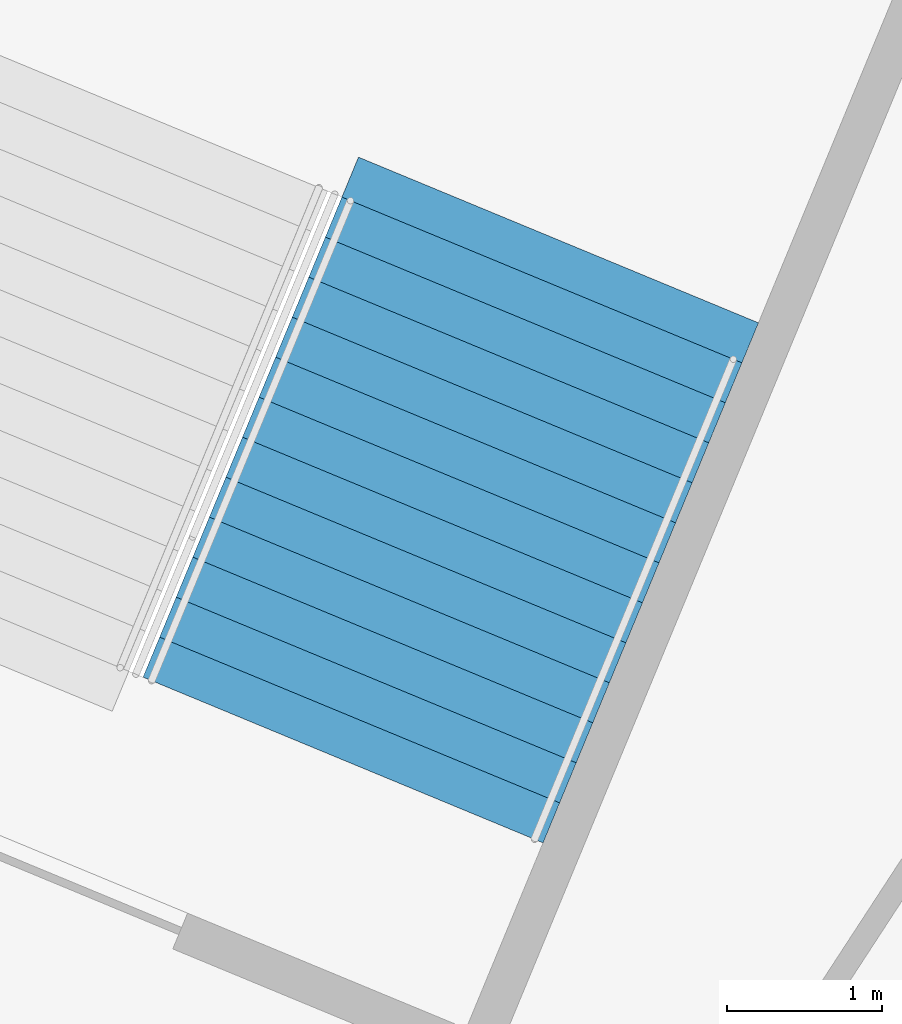
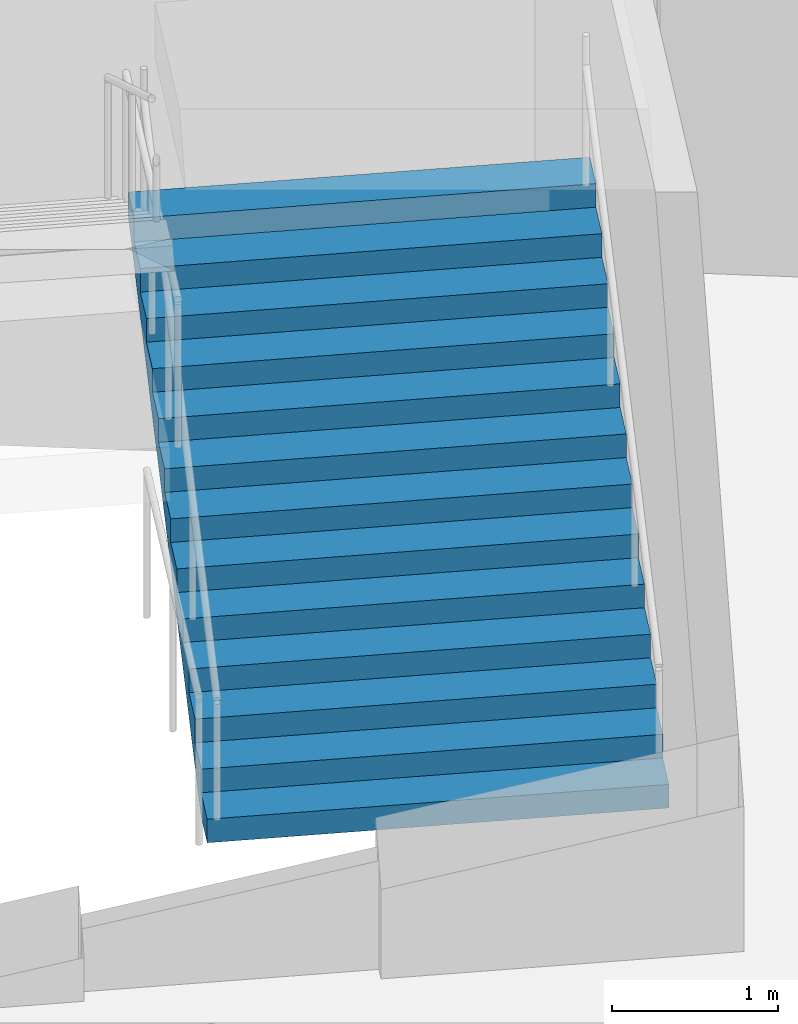
# One storey, part 185 of 199: 1 stair flight, 1 element without a shape of its own.
"""IFC4 building model written with IfcOpenShell, lengths in metres."""

from ifc_helpers import new_model, si_unit, direction, frame, origin, place, context, subcontext, project, spatial, faceted_brep, material, type_object, element, aggregate, save


model = new_model("IFC4")

# Units and contexts
model_context = context("Model", 3, precision=1e-05, world=origin(), true_north=direction((0.0, 1.0)))
body_context = subcontext(model_context, "Body", "Model", "MODEL_VIEW")
ifc_project = project(units=[si_unit("LENGTHUNIT", "METRE"), si_unit("AREAUNIT", "SQUARE_METRE"), si_unit("VOLUMEUNIT", "CUBIC_METRE"), si_unit("PLANEANGLEUNIT", "RADIAN"), si_unit("MASSUNIT", "GRAM", prefix="KILO")], contexts=[model_context])

# Site, building, storey
site_placement = place(None, origin())
site = spatial("IfcSite", under=ifc_project, at=site_placement, CompositionType="ELEMENT")
building_placement = place(site_placement, origin())
building = spatial("IfcBuilding", under=site, at=building_placement, Name="Ogive Plaza Stadium", CompositionType="ELEMENT")
storey_placement = place(building_placement, frame((0.0, 0.0, 4.5)))
storey = spatial("IfcBuildingStorey", under=building, at=storey_placement, Name="L01", CompositionType="ELEMENT", Elevation=4.5)

# Stair, stair flight
ifc_material_1 = material(Name="Concrete C40/50", Category="concrete")
stair_type = type_object("IfcStairType", Name="Exit stair", PredefinedType="STRAIGHT_RUN_STAIR", material=ifc_material_1)
stair_placement = place(storey_placement, origin())
stair = element("IfcStair", 1, at=stair_placement, inside=storey, type_object=stair_type, Name="Exit stair ST38A L01 to L02", PredefinedType="STRAIGHT_RUN_STAIR")
ifc_material_2 = material(Name="Concrete C40/50", Category="concrete")
stair_flight_type = type_object("IfcStairFlightType", Name="Exit stair flight", PredefinedType="STRAIGHT", material=ifc_material_2)
stair_flight_placement = place(storey_placement, frame((54.294921875, 89.932861328125, 0.0), z_axis=(0.0, 0.0, 1.0), x_axis=(0.382683432365, 0.923879532511, 0.0)))
stair_flight = element("IfcStairFlight", 2, at=stair_flight_placement, type_object=stair_flight_type, Name="ST38A flight 1", NumberOfRisers=13, NumberOfTreads=12, PredefinedType="STRAIGHT", RiserHeight=0.173076923, TreadLength=0.28, context=body_context, shape_type="Brep", body=[
    faceted_brep([(0.28515625, -1.39990234375, 0.0), (3.639892578125, -1.39990234375, 2.07373046875), (3.639892578125, -1.39990234375, 2.25), (3.360107421875, -1.39990234375, 2.25), (3.360107421875, -1.39990234375, 2.076904296875), (3.080078125, -1.39990234375, 2.076904296875), (3.080078125, -1.39990234375, 1.90380859375), (2.800048828125, -1.39990234375, 1.90380859375), (2.800048828125, -1.39990234375, 1.730712890625), (2.52001953125, -1.39990234375, 1.730712890625), (2.52001953125, -1.39990234375, 1.5576171875), (2.239990234375, -1.39990234375, 1.5576171875), (2.239990234375, -1.39990234375, 1.384521484375), (1.9599609375, -1.39990234375, 1.384521484375), (1.9599609375, -1.39990234375, 1.21142578125), (1.679931640625, -1.39990234375, 1.21142578125), (1.679931640625, -1.39990234375, 1.03857421875), (1.39990234375, -1.39990234375, 1.03857421875), (1.39990234375, -1.39990234375, 0.865478515625), (1.1201171875, -1.39990234375, 0.865478515625), (1.1201171875, -1.39990234375, 0.6923828125), (0.840087890625, -1.39990234375, 0.6923828125), (0.840087890625, -1.39990234375, 0.519287109375), (0.56005859375, -1.39990234375, 0.519287109375), (0.56005859375, -1.39990234375, 0.34619140625), (0.280029296875, -1.39990234375, 0.34619140625), (0.280029296875, -1.39990234375, 0.173095703125), (0.0, -1.39990234375, 0.173095703125), (0.0, -1.39990234375, 0.0), (0.0, 1.39990234375, 0.0), (0.0, 1.39990234375, 0.173095703125), (0.280029296875, 1.39990234375, 0.173095703125), (0.280029296875, 1.39990234375, 0.34619140625), (0.56005859375, 1.39990234375, 0.34619140625), (0.56005859375, 1.39990234375, 0.519287109375), (0.840087890625, 1.39990234375, 0.519287109375), (0.840087890625, 1.39990234375, 0.6923828125), (1.1201171875, 1.39990234375, 0.6923828125), (1.1201171875, 1.39990234375, 0.865478515625), (1.39990234375, 1.39990234375, 0.865478515625), (1.39990234375, 1.39990234375, 1.03857421875), (1.679931640625, 1.39990234375, 1.03857421875), (1.679931640625, 1.39990234375, 1.21142578125), (1.9599609375, 1.39990234375, 1.21142578125), (1.9599609375, 1.39990234375, 1.384521484375), (2.239990234375, 1.39990234375, 1.384521484375), (2.239990234375, 1.39990234375, 1.5576171875), (2.52001953125, 1.39990234375, 1.5576171875), (2.52001953125, 1.39990234375, 1.730712890625), (2.800048828125, 1.39990234375, 1.730712890625), (2.800048828125, 1.39990234375, 1.90380859375), (3.080078125, 1.39990234375, 1.90380859375), (3.080078125, 1.39990234375, 2.076904296875), (3.360107421875, 1.39990234375, 2.076904296875), (3.360107421875, 1.39990234375, 2.25), (3.639892578125, 1.39990234375, 2.25), (3.639892578125, 1.39990234375, 2.07373046875), (0.28515625, 1.39990234375, 0.0), (0.28515625, -1.0888671875, 0.0), (3.639892578125, -1.0888671875, 2.07373046875), (0.28515625, -0.77783203125, 0.0), (3.639892578125, -0.77783203125, 2.07373046875), (0.28515625, -0.466796875, 0.0), (3.639892578125, -0.466796875, 2.07373046875), (0.28515625, -0.155517578125, 0.0), (3.639892578125, -0.155517578125, 2.07373046875), (0.28515625, 0.155517578125, 0.0), (3.639892578125, 0.155517578125, 2.07373046875), (0.28515625, 0.466796875, 0.0), (3.639892578125, 0.466796875, 2.07373046875), (0.28515625, 0.77783203125, 0.0), (3.639892578125, 0.77783203125, 2.07373046875), (0.28515625, 1.0888671875, 0.0), (3.639892578125, 1.0888671875, 2.07373046875), (3.639892578125, -1.0888671875, 2.25), (3.639892578125, -0.77783203125, 2.25), (3.639892578125, -0.466796875, 2.25), (3.639892578125, -0.155517578125, 2.25), (3.639892578125, 0.155517578125, 2.25), (3.639892578125, 0.466796875, 2.25), (3.639892578125, 0.77783203125, 2.25), (3.639892578125, 1.0888671875, 2.25), (3.360107421875, -1.0888671875, 2.25), (3.360107421875, -0.77783203125, 2.25), (3.360107421875, -0.466796875, 2.25), (3.360107421875, -0.155517578125, 2.25), (3.360107421875, 0.155517578125, 2.25), (3.360107421875, 0.466796875, 2.25), (3.360107421875, 0.77783203125, 2.25), (3.360107421875, 1.0888671875, 2.25), (3.360107421875, -1.0888671875, 2.076904296875), (3.360107421875, -0.77783203125, 2.076904296875), (3.360107421875, -0.466796875, 2.076904296875), (3.360107421875, -0.155517578125, 2.076904296875), (3.360107421875, 0.155517578125, 2.076904296875), (3.360107421875, 0.466796875, 2.076904296875), (3.360107421875, 0.77783203125, 2.076904296875), (3.360107421875, 1.0888671875, 2.076904296875), (3.080078125, -1.0888671875, 2.076904296875), (3.080078125, -0.77783203125, 2.076904296875), (3.080078125, -0.466796875, 2.076904296875), (3.080078125, -0.155517578125, 2.076904296875), (3.080078125, 0.155517578125, 2.076904296875), (3.080078125, 0.466796875, 2.076904296875), (3.080078125, 0.77783203125, 2.076904296875), (3.080078125, 1.0888671875, 2.076904296875), (3.080078125, -1.0888671875, 1.90380859375), (3.080078125, -0.77783203125, 1.90380859375), (3.080078125, -0.466796875, 1.90380859375), (3.080078125, -0.155517578125, 1.90380859375), (3.080078125, 0.155517578125, 1.90380859375), (3.080078125, 0.466796875, 1.90380859375), (3.080078125, 0.77783203125, 1.90380859375), (3.080078125, 1.0888671875, 1.90380859375), (2.800048828125, -1.0888671875, 1.90380859375), (2.800048828125, -0.77783203125, 1.90380859375), (2.800048828125, -0.466796875, 1.90380859375), (2.800048828125, -0.155517578125, 1.90380859375), (2.800048828125, 0.155517578125, 1.90380859375), (2.800048828125, 0.466796875, 1.90380859375), (2.800048828125, 0.77783203125, 1.90380859375), (2.800048828125, 1.0888671875, 1.90380859375), (2.800048828125, -1.0888671875, 1.730712890625), (2.800048828125, -0.77783203125, 1.730712890625), (2.800048828125, -0.466796875, 1.730712890625), (2.800048828125, -0.155517578125, 1.730712890625), (2.800048828125, 0.155517578125, 1.730712890625), (2.800048828125, 0.466796875, 1.730712890625), (2.800048828125, 0.77783203125, 1.730712890625), (2.800048828125, 1.0888671875, 1.730712890625), (2.52001953125, -1.0888671875, 1.730712890625), (2.52001953125, -0.77783203125, 1.730712890625), (2.52001953125, -0.466796875, 1.730712890625), (2.52001953125, -0.155517578125, 1.730712890625), (2.52001953125, 0.155517578125, 1.730712890625), (2.52001953125, 0.466796875, 1.730712890625), (2.52001953125, 0.77783203125, 1.730712890625), (2.52001953125, 1.0888671875, 1.730712890625), (2.52001953125, -1.0888671875, 1.5576171875), (2.52001953125, -0.77783203125, 1.5576171875), (2.52001953125, -0.466796875, 1.5576171875), (2.52001953125, -0.155517578125, 1.5576171875), (2.52001953125, 0.155517578125, 1.5576171875), (2.52001953125, 0.466796875, 1.5576171875), (2.52001953125, 0.77783203125, 1.5576171875), (2.52001953125, 1.0888671875, 1.5576171875), (2.239990234375, -1.0888671875, 1.5576171875), (2.239990234375, -0.77783203125, 1.5576171875), (2.239990234375, -0.466796875, 1.5576171875), (2.239990234375, -0.155517578125, 1.5576171875), (2.239990234375, 0.155517578125, 1.5576171875), (2.239990234375, 0.466796875, 1.5576171875), (2.239990234375, 0.77783203125, 1.5576171875), (2.239990234375, 1.0888671875, 1.5576171875), (2.239990234375, -1.0888671875, 1.384521484375), (2.239990234375, -0.77783203125, 1.384521484375), (2.239990234375, -0.466796875, 1.384521484375), (2.239990234375, -0.155517578125, 1.384521484375), (2.239990234375, 0.155517578125, 1.384521484375), (2.239990234375, 0.466796875, 1.384521484375), (2.239990234375, 0.77783203125, 1.384521484375), (2.239990234375, 1.0888671875, 1.384521484375), (1.9599609375, -1.0888671875, 1.384521484375), (1.9599609375, -0.77783203125, 1.384521484375), (1.9599609375, -0.466796875, 1.384521484375), (1.9599609375, -0.155517578125, 1.384521484375), (1.9599609375, 0.155517578125, 1.384521484375), (1.9599609375, 0.466796875, 1.384521484375), (1.9599609375, 0.77783203125, 1.384521484375), (1.9599609375, 1.0888671875, 1.384521484375), (1.9599609375, -1.0888671875, 1.21142578125), (1.9599609375, -0.77783203125, 1.21142578125), (1.9599609375, -0.466796875, 1.21142578125), (1.9599609375, -0.155517578125, 1.21142578125), (1.9599609375, 0.155517578125, 1.21142578125), (1.9599609375, 0.466796875, 1.21142578125), (1.9599609375, 0.77783203125, 1.21142578125), (1.9599609375, 1.0888671875, 1.21142578125), (1.679931640625, -1.0888671875, 1.21142578125), (1.679931640625, -0.77783203125, 1.21142578125), (1.679931640625, -0.466796875, 1.21142578125), (1.679931640625, -0.155517578125, 1.21142578125), (1.679931640625, 0.155517578125, 1.21142578125), (1.679931640625, 0.466796875, 1.21142578125), (1.679931640625, 0.77783203125, 1.21142578125), (1.679931640625, 1.0888671875, 1.21142578125), (1.679931640625, -1.0888671875, 1.03857421875), (1.679931640625, -0.77783203125, 1.03857421875), (1.679931640625, -0.466796875, 1.03857421875), (1.679931640625, -0.155517578125, 1.03857421875), (1.679931640625, 0.155517578125, 1.03857421875), (1.679931640625, 0.466796875, 1.03857421875), (1.679931640625, 0.77783203125, 1.03857421875), (1.679931640625, 1.0888671875, 1.03857421875), (1.39990234375, -1.0888671875, 1.03857421875), (1.39990234375, -0.77783203125, 1.03857421875), (1.39990234375, -0.466796875, 1.03857421875), (1.39990234375, -0.155517578125, 1.03857421875), (1.39990234375, 0.155517578125, 1.03857421875), (1.39990234375, 0.466796875, 1.03857421875), (1.39990234375, 0.77783203125, 1.03857421875), (1.39990234375, 1.0888671875, 1.03857421875), (1.39990234375, -1.0888671875, 0.865478515625), (1.39990234375, -0.77783203125, 0.865478515625), (1.39990234375, -0.466796875, 0.865478515625), (1.39990234375, -0.155517578125, 0.865478515625), (1.39990234375, 0.155517578125, 0.865478515625), (1.39990234375, 0.466796875, 0.865478515625), (1.39990234375, 0.77783203125, 0.865478515625), (1.39990234375, 1.0888671875, 0.865478515625), (1.1201171875, -1.0888671875, 0.865478515625), (1.1201171875, -0.77783203125, 0.865478515625), (1.1201171875, -0.466796875, 0.865478515625), (1.1201171875, -0.155517578125, 0.865478515625), (1.1201171875, 0.155517578125, 0.865478515625), (1.1201171875, 0.466796875, 0.865478515625), (1.1201171875, 0.77783203125, 0.865478515625), (1.1201171875, 1.0888671875, 0.865478515625), (1.1201171875, -1.0888671875, 0.6923828125), (1.1201171875, -0.77783203125, 0.6923828125), (1.1201171875, -0.466796875, 0.6923828125), (1.1201171875, -0.155517578125, 0.6923828125), (1.1201171875, 0.155517578125, 0.6923828125), (1.1201171875, 0.466796875, 0.6923828125), (1.1201171875, 0.77783203125, 0.6923828125), (1.1201171875, 1.0888671875, 0.6923828125), (0.840087890625, -1.0888671875, 0.6923828125), (0.840087890625, -0.77783203125, 0.6923828125), (0.840087890625, -0.466796875, 0.6923828125), (0.840087890625, -0.155517578125, 0.6923828125), (0.840087890625, 0.155517578125, 0.6923828125), (0.840087890625, 0.466796875, 0.6923828125), (0.840087890625, 0.77783203125, 0.6923828125), (0.840087890625, 1.0888671875, 0.6923828125), (0.840087890625, -1.0888671875, 0.519287109375), (0.840087890625, -0.77783203125, 0.519287109375), (0.840087890625, -0.466796875, 0.519287109375), (0.840087890625, -0.155517578125, 0.519287109375), (0.840087890625, 0.155517578125, 0.519287109375), (0.840087890625, 0.466796875, 0.519287109375), (0.840087890625, 0.77783203125, 0.519287109375), (0.840087890625, 1.0888671875, 0.519287109375), (0.56005859375, -1.0888671875, 0.519287109375), (0.56005859375, -0.77783203125, 0.519287109375), (0.56005859375, -0.466796875, 0.519287109375), (0.56005859375, -0.155517578125, 0.519287109375), (0.56005859375, 0.155517578125, 0.519287109375), (0.56005859375, 0.466796875, 0.519287109375), (0.56005859375, 0.77783203125, 0.519287109375), (0.56005859375, 1.0888671875, 0.519287109375), (0.56005859375, -1.0888671875, 0.34619140625), (0.56005859375, -0.77783203125, 0.34619140625), (0.56005859375, -0.466796875, 0.34619140625), (0.56005859375, -0.155517578125, 0.34619140625), (0.56005859375, 0.155517578125, 0.34619140625), (0.56005859375, 0.466796875, 0.34619140625), (0.56005859375, 0.77783203125, 0.34619140625), (0.56005859375, 1.0888671875, 0.34619140625), (0.280029296875, -1.0888671875, 0.34619140625), (0.280029296875, -0.77783203125, 0.34619140625), (0.280029296875, -0.466796875, 0.34619140625), (0.280029296875, -0.155517578125, 0.34619140625), (0.280029296875, 0.155517578125, 0.34619140625), (0.280029296875, 0.466796875, 0.34619140625), (0.280029296875, 0.77783203125, 0.34619140625), (0.280029296875, 1.0888671875, 0.34619140625), (0.280029296875, -1.0888671875, 0.173095703125), (0.280029296875, -0.77783203125, 0.173095703125), (0.280029296875, -0.466796875, 0.173095703125), (0.280029296875, -0.155517578125, 0.173095703125), (0.280029296875, 0.155517578125, 0.173095703125), (0.280029296875, 0.466796875, 0.173095703125), (0.280029296875, 0.77783203125, 0.173095703125), (0.280029296875, 1.0888671875, 0.173095703125), (0.0, -1.0888671875, 0.173095703125), (0.0, -0.77783203125, 0.173095703125), (0.0, -0.466796875, 0.173095703125), (0.0, -0.155517578125, 0.173095703125), (0.0, 0.155517578125, 0.173095703125), (0.0, 0.466796875, 0.173095703125), (0.0, 0.77783203125, 0.173095703125), (0.0, 1.0888671875, 0.173095703125), (0.0, -1.0888671875, 0.0), (0.0, -0.77783203125, 0.0), (0.0, -0.466796875, 0.0), (0.0, -0.155517578125, 0.0), (0.0, 0.155517578125, 0.0), (0.0, 0.466796875, 0.0), (0.0, 0.77783203125, 0.0), (0.0, 1.0888671875, 0.0)], [[[0, 1, 2, 3, 4, 5, 6, 7, 8, 9, 10, 11, 12, 13, 14, 15, 16, 17, 18, 19, 20, 21, 22, 23, 24, 25, 26, 27, 28]], [[29, 30, 31, 32, 33, 34, 35, 36, 37, 38, 39, 40, 41, 42, 43, 44, 45, 46, 47, 48, 49, 50, 51, 52, 53, 54, 55, 56, 57]], [[0, 58, 59, 1]], [[58, 60, 61, 59]], [[60, 62, 63, 61]], [[62, 64, 65, 63]], [[64, 66, 67, 65]], [[66, 68, 69, 67]], [[68, 70, 71, 69]], [[70, 72, 73, 71]], [[72, 57, 56, 73]], [[1, 59, 74, 2]], [[59, 61, 75, 74]], [[61, 63, 76, 75]], [[63, 65, 77, 76]], [[65, 67, 78, 77]], [[67, 69, 79, 78]], [[69, 71, 80, 79]], [[71, 73, 81, 80]], [[73, 56, 55, 81]], [[2, 74, 82, 3]], [[74, 75, 83, 82]], [[75, 76, 84, 83]], [[76, 77, 85, 84]], [[77, 78, 86, 85]], [[78, 79, 87, 86]], [[79, 80, 88, 87]], [[80, 81, 89, 88]], [[81, 55, 54, 89]], [[3, 82, 90, 4]], [[82, 83, 91, 90]], [[83, 84, 92, 91]], [[84, 85, 93, 92]], [[85, 86, 94, 93]], [[86, 87, 95, 94]], [[87, 88, 96, 95]], [[88, 89, 97, 96]], [[89, 54, 53, 97]], [[4, 90, 98, 5]], [[90, 91, 99, 98]], [[91, 92, 100, 99]], [[92, 93, 101, 100]], [[93, 94, 102, 101]], [[94, 95, 103, 102]], [[95, 96, 104, 103]], [[96, 97, 105, 104]], [[97, 53, 52, 105]], [[5, 98, 106, 6]], [[98, 99, 107, 106]], [[99, 100, 108, 107]], [[100, 101, 109, 108]], [[101, 102, 110, 109]], [[102, 103, 111, 110]], [[103, 104, 112, 111]], [[104, 105, 113, 112]], [[105, 52, 51, 113]], [[6, 106, 114, 7]], [[106, 107, 115, 114]], [[107, 108, 116, 115]], [[108, 109, 117, 116]], [[109, 110, 118, 117]], [[110, 111, 119, 118]], [[111, 112, 120, 119]], [[112, 113, 121, 120]], [[113, 51, 50, 121]], [[7, 114, 122, 8]], [[114, 115, 123, 122]], [[115, 116, 124, 123]], [[116, 117, 125, 124]], [[117, 118, 126, 125]], [[118, 119, 127, 126]], [[119, 120, 128, 127]], [[120, 121, 129, 128]], [[121, 50, 49, 129]], [[8, 122, 130, 9]], [[122, 123, 131, 130]], [[123, 124, 132, 131]], [[124, 125, 133, 132]], [[125, 126, 134, 133]], [[126, 127, 135, 134]], [[127, 128, 136, 135]], [[128, 129, 137, 136]], [[129, 49, 48, 137]], [[9, 130, 138, 10]], [[130, 131, 139, 138]], [[131, 132, 140, 139]], [[132, 133, 141, 140]], [[133, 134, 142, 141]], [[134, 135, 143, 142]], [[135, 136, 144, 143]], [[136, 137, 145, 144]], [[137, 48, 47, 145]], [[10, 138, 146, 11]], [[138, 139, 147, 146]], [[139, 140, 148, 147]], [[140, 141, 149, 148]], [[141, 142, 150, 149]], [[142, 143, 151, 150]], [[143, 144, 152, 151]], [[144, 145, 153, 152]], [[145, 47, 46, 153]], [[11, 146, 154, 12]], [[146, 147, 155, 154]], [[147, 148, 156, 155]], [[148, 149, 157, 156]], [[149, 150, 158, 157]], [[150, 151, 159, 158]], [[151, 152, 160, 159]], [[152, 153, 161, 160]], [[153, 46, 45, 161]], [[12, 154, 162, 13]], [[154, 155, 163, 162]], [[155, 156, 164, 163]], [[156, 157, 165, 164]], [[157, 158, 166, 165]], [[158, 159, 167, 166]], [[159, 160, 168, 167]], [[160, 161, 169, 168]], [[161, 45, 44, 169]], [[13, 162, 170, 14]], [[162, 163, 171, 170]], [[163, 164, 172, 171]], [[164, 165, 173, 172]], [[165, 166, 174, 173]], [[166, 167, 175, 174]], [[167, 168, 176, 175]], [[168, 169, 177, 176]], [[169, 44, 43, 177]], [[14, 170, 178, 15]], [[170, 171, 179, 178]], [[171, 172, 180, 179]], [[172, 173, 181, 180]], [[173, 174, 182, 181]], [[174, 175, 183, 182]], [[175, 176, 184, 183]], [[176, 177, 185, 184]], [[177, 43, 42, 185]], [[15, 178, 186, 16]], [[178, 179, 187, 186]], [[179, 180, 188, 187]], [[180, 181, 189, 188]], [[181, 182, 190, 189]], [[182, 183, 191, 190]], [[183, 184, 192, 191]], [[184, 185, 193, 192]], [[185, 42, 41, 193]], [[16, 186, 194, 17]], [[186, 187, 195, 194]], [[187, 188, 196, 195]], [[188, 189, 197, 196]], [[189, 190, 198, 197]], [[190, 191, 199, 198]], [[191, 192, 200, 199]], [[192, 193, 201, 200]], [[193, 41, 40, 201]], [[17, 194, 202, 18]], [[194, 195, 203, 202]], [[195, 196, 204, 203]], [[196, 197, 205, 204]], [[197, 198, 206, 205]], [[198, 199, 207, 206]], [[199, 200, 208, 207]], [[200, 201, 209, 208]], [[201, 40, 39, 209]], [[18, 202, 210, 19]], [[202, 203, 211, 210]], [[203, 204, 212, 211]], [[204, 205, 213, 212]], [[205, 206, 214, 213]], [[206, 207, 215, 214]], [[207, 208, 216, 215]], [[208, 209, 217, 216]], [[209, 39, 38, 217]], [[19, 210, 218, 20]], [[210, 211, 219, 218]], [[211, 212, 220, 219]], [[212, 213, 221, 220]], [[213, 214, 222, 221]], [[214, 215, 223, 222]], [[215, 216, 224, 223]], [[216, 217, 225, 224]], [[217, 38, 37, 225]], [[20, 218, 226, 21]], [[218, 219, 227, 226]], [[219, 220, 228, 227]], [[220, 221, 229, 228]], [[221, 222, 230, 229]], [[222, 223, 231, 230]], [[223, 224, 232, 231]], [[224, 225, 233, 232]], [[225, 37, 36, 233]], [[21, 226, 234, 22]], [[226, 227, 235, 234]], [[227, 228, 236, 235]], [[228, 229, 237, 236]], [[229, 230, 238, 237]], [[230, 231, 239, 238]], [[231, 232, 240, 239]], [[232, 233, 241, 240]], [[233, 36, 35, 241]], [[22, 234, 242, 23]], [[234, 235, 243, 242]], [[235, 236, 244, 243]], [[236, 237, 245, 244]], [[237, 238, 246, 245]], [[238, 239, 247, 246]], [[239, 240, 248, 247]], [[240, 241, 249, 248]], [[241, 35, 34, 249]], [[23, 242, 250, 24]], [[242, 243, 251, 250]], [[243, 244, 252, 251]], [[244, 245, 253, 252]], [[245, 246, 254, 253]], [[246, 247, 255, 254]], [[247, 248, 256, 255]], [[248, 249, 257, 256]], [[249, 34, 33, 257]], [[24, 250, 258, 25]], [[250, 251, 259, 258]], [[251, 252, 260, 259]], [[252, 253, 261, 260]], [[253, 254, 262, 261]], [[254, 255, 263, 262]], [[255, 256, 264, 263]], [[256, 257, 265, 264]], [[257, 33, 32, 265]], [[25, 258, 266, 26]], [[258, 259, 267, 266]], [[259, 260, 268, 267]], [[260, 261, 269, 268]], [[261, 262, 270, 269]], [[262, 263, 271, 270]], [[263, 264, 272, 271]], [[264, 265, 273, 272]], [[265, 32, 31, 273]], [[26, 266, 274, 27]], [[266, 267, 275, 274]], [[267, 268, 276, 275]], [[268, 269, 277, 276]], [[269, 270, 278, 277]], [[270, 271, 279, 278]], [[271, 272, 280, 279]], [[272, 273, 281, 280]], [[273, 31, 30, 281]], [[27, 274, 282, 28]], [[274, 275, 283, 282]], [[275, 276, 284, 283]], [[276, 277, 285, 284]], [[277, 278, 286, 285]], [[278, 279, 287, 286]], [[279, 280, 288, 287]], [[280, 281, 289, 288]], [[281, 30, 29, 289]], [[28, 282, 58, 0]], [[282, 283, 60, 58]], [[283, 284, 62, 60]], [[284, 285, 64, 62]], [[285, 286, 66, 64]], [[286, 287, 68, 66]], [[287, 288, 70, 68]], [[288, 289, 72, 70]], [[289, 29, 57, 72]]]),
])
aggregate(stair, [stair_flight])

save(model, "model.ifc")
